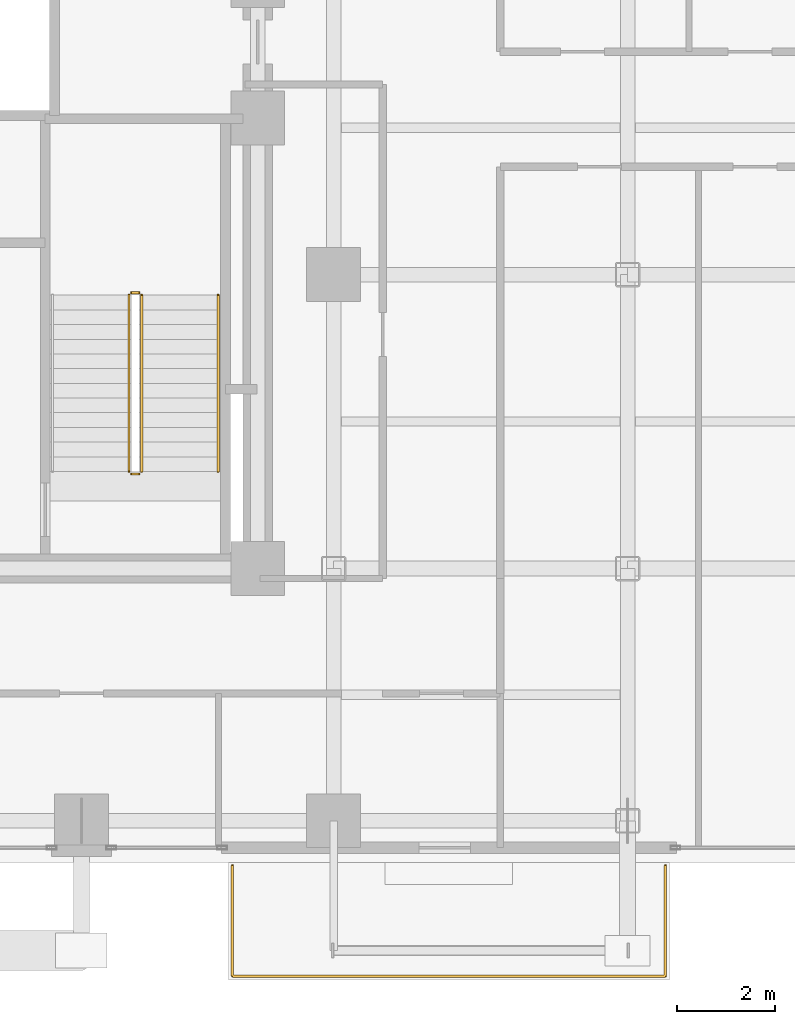
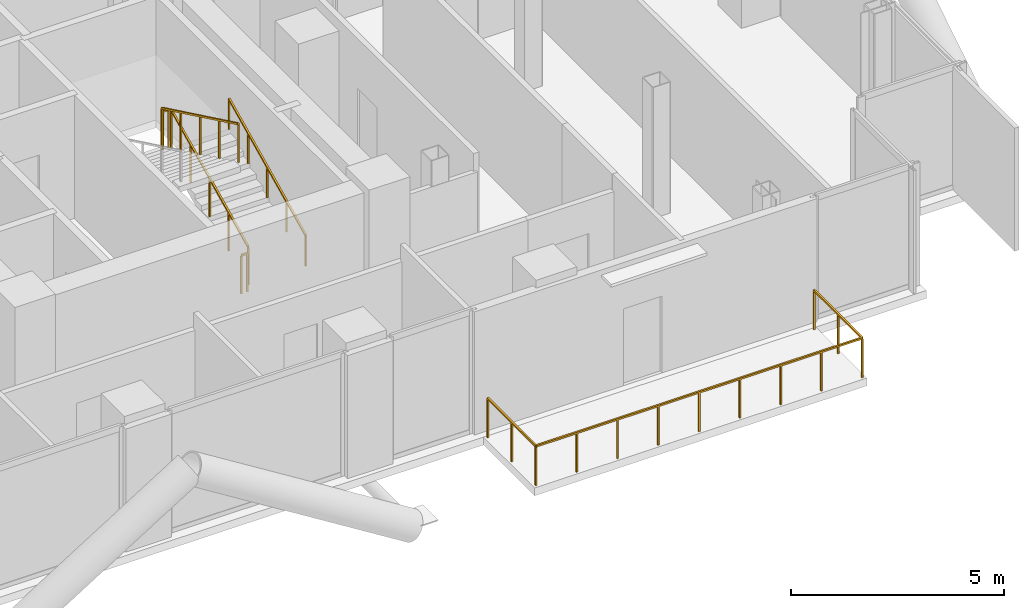
# One storey, part 27 of 28: 6 railings.
"""IFC4 building model written with IfcOpenShell, lengths in metres."""

from ifc_helpers import new_model, si_unit, direction, frame, origin, origin_2d, place, context, subcontext, project, spatial, rectangle, extrude, material, type_object, element, save


model = new_model("IFC4")

# Units and contexts
model_context = context("Model", 3, precision=1e-05, world=origin(), true_north=direction((0.0, 1.0)))
body_context = subcontext(model_context, "Body", "Model", "MODEL_VIEW")
ifc_project = project(units=[si_unit("LENGTHUNIT", "METRE"), si_unit("AREAUNIT", "SQUARE_METRE"), si_unit("VOLUMEUNIT", "CUBIC_METRE"), si_unit("PLANEANGLEUNIT", "RADIAN"), si_unit("MASSUNIT", "GRAM", prefix="KILO"), si_unit("THERMODYNAMICTEMPERATUREUNIT", "KELVIN"), si_unit("POWERUNIT", "WATT")], contexts=[model_context])

# Site, building, storey
site_placement = place(None, origin())
site = spatial("IfcSite", under=ifc_project, at=site_placement, CompositionType="ELEMENT")
building_placement = place(site_placement, origin())
building = spatial("IfcBuilding", under=site, at=building_placement, Name="Svarakhadi Broadcast Tower", CompositionType="ELEMENT")
storey_placement = place(building_placement, frame((0.0, 0.0, 103.35009765625)))
storey = spatial("IfcBuildingStorey", under=building, at=storey_placement, Name="L24", CompositionType="ELEMENT", Elevation=103.35009765625)

# Railings
ifc_material_1 = material(Name="Laminated Structural SentryGlas Balustrade 25.5 mm", Category="glass")
railing_type_1 = type_object("IfcRailingType", Name="Guard_Balcony_GR01", PredefinedType="BALUSTRADE", material=ifc_material_1)
railing_1_placement = place(storey_placement, frame((33.080078125, -0.06005859375, 0.0)))
element("IfcRailing", 1, at=railing_1_placement, inside=storey, type_object=railing_type_1, Name="L24 South Tree Balcony Guard GR-05", PredefinedType="BALUSTRADE", context=body_context, shape_type="SweptSolid", body=[
    extrude(rectangle(XDim=0.048095703125, YDim=0.048095703125, at=origin_2d()), frame((0.0, 0.0, 1.1259765625), z_axis=(0.0, -1.0, 0.0), x_axis=(1.0, 0.0, 0.0)), (0.0, 0.0, 1.0), 2.260009765625),
    extrude(rectangle(XDim=0.048095703125, YDim=0.048095703125, at=origin_2d()), frame((0.0, -2.260009765625, 1.1259765625), z_axis=(1.0, 0.0, 0.0), x_axis=(0.0, 1.0, 0.0)), (0.0, 0.0, 1.0), 8.83984375),
    extrude(rectangle(XDim=0.048095703125, YDim=0.048095703125, at=origin_2d()), frame((8.83984375, -2.260009765625, 1.1259765625), z_axis=(0.0, 1.0, 0.0), x_axis=(-1.0, 0.0, 0.0)), (0.0, 0.0, 1.0), 2.260009765625),
    extrude(rectangle(XDim=0.0419921875, YDim=0.0419921875, at=origin_2d()), origin(), (0.0, 0.0, 1.0), 1.101806640625),
    extrude(rectangle(XDim=0.0419921875, YDim=0.0419921875, at=origin_2d()), frame((0.0, -1.1298828125, 0.0)), (0.0, 0.0, 1.0), 1.101806640625),
    extrude(rectangle(XDim=0.0419921875, YDim=0.0419921875, at=origin_2d()), frame((0.0, -2.260009765625, 0.0)), (0.0, 0.0, 1.0), 1.101806640625),
    extrude(rectangle(XDim=0.0419921875, YDim=0.0419921875, at=origin_2d()), frame((1.10498046875, -2.260009765625, 0.0)), (0.0, 0.0, 1.0), 1.101806640625),
    extrude(rectangle(XDim=0.0419921875, YDim=0.0419921875, at=origin_2d()), frame((2.2099609375, -2.260009765625, 0.0)), (0.0, 0.0, 1.0), 1.101806640625),
    extrude(rectangle(XDim=0.0419921875, YDim=0.0419921875, at=origin_2d()), frame((3.31494140625, -2.260009765625, 0.0)), (0.0, 0.0, 1.0), 1.101806640625),
    extrude(rectangle(XDim=0.0419921875, YDim=0.0419921875, at=origin_2d()), frame((4.419921875, -2.260009765625, 0.0)), (0.0, 0.0, 1.0), 1.101806640625),
    extrude(rectangle(XDim=0.0419921875, YDim=0.0419921875, at=origin_2d()), frame((5.52490234375, -2.260009765625, 0.0)), (0.0, 0.0, 1.0), 1.101806640625),
    extrude(rectangle(XDim=0.0419921875, YDim=0.0419921875, at=origin_2d()), frame((6.6298828125, -2.260009765625, 0.0)), (0.0, 0.0, 1.0), 1.101806640625),
    extrude(rectangle(XDim=0.0419921875, YDim=0.0419921875, at=origin_2d()), frame((7.73486328125, -2.260009765625, 0.0)), (0.0, 0.0, 1.0), 1.101806640625),
    extrude(rectangle(XDim=0.0419921875, YDim=0.0419921875, at=origin_2d()), frame((8.83984375, -2.260009765625, 0.0)), (0.0, 0.0, 1.0), 1.101806640625),
    extrude(rectangle(XDim=0.0419921875, YDim=0.0419921875, at=origin_2d()), frame((8.83984375, -1.1298828125, 0.0)), (0.0, 0.0, 1.0), 1.101806640625),
    extrude(rectangle(XDim=0.0419921875, YDim=0.0419921875, at=origin_2d()), frame((8.83984375, 0.0, 0.0)), (0.0, 0.0, 1.0), 1.101806640625),
])
ifc_material_2 = material(Name="Anodised Bronze Aluminium AA 6063-T6", Category="aluminium")
railing_type_2 = type_object("IfcRailingType", Name="Guard_Stair_GR01", PredefinedType="GUARDRAIL", material=ifc_material_2)
railing_2_placement = place(storey_placement, frame((31.22998046875, 7.97998046875, 0.14404296875)))
element("IfcRailing", 2, at=railing_2_placement, inside=storey, type_object=railing_type_2, Name="L24 ST-02 stair guard 1", PredefinedType="GUARDRAIL", context=body_context, shape_type="SweptSolid", body=[
    extrude(rectangle(XDim=0.048095703125, YDim=0.048095703125, at=origin_2d()), frame((0.0, 0.0, 1.09619140625), z_axis=(0.0, 0.901238654732, 0.433323074871), x_axis=(-1.0, 0.0, 0.0)), (0.0, 0.0, 1.0), 3.99462890625),
    extrude(rectangle(XDim=0.0419921875, YDim=0.0419921875, at=origin_2d()), origin(), (0.0, 0.0, 1.0), 1.072021484375),
    extrude(rectangle(XDim=0.0419921875, YDim=0.0419921875, at=origin_2d()), frame((0.0, 0.89990234375, 0.4326171875)), (0.0, 0.0, 1.0), 1.072021484375),
    extrude(rectangle(XDim=0.0419921875, YDim=0.0419921875, at=origin_2d()), frame((0.0, 1.800048828125, 0.865478515625)), (0.0, 0.0, 1.0), 1.072021484375),
    extrude(rectangle(XDim=0.0419921875, YDim=0.0419921875, at=origin_2d()), frame((0.0, 2.7001953125, 1.29833984375)), (0.0, 0.0, 1.0), 1.072021484375),
    extrude(rectangle(XDim=0.0419921875, YDim=0.0419921875, at=origin_2d()), frame((0.0, 3.60009765625, 1.73095703125)), (0.0, 0.0, 1.0), 1.072021484375),
])
railing_3_placement = place(storey_placement, frame((31.179931640625, 11.6298828125, 1.875)))
element("IfcRailing", 3, at=railing_3_placement, inside=storey, type_object=railing_type_2, Name="L24 ST-02 stair guard 2", PredefinedType="GUARDRAIL", context=body_context, shape_type="SweptSolid", body=[
    extrude(rectangle(XDim=0.048095703125, YDim=0.048095703125, at=origin_2d()), frame((0.0, 0.0, 1.09619140625), z_axis=(-1.0, 0.0, 0.0), x_axis=(0.0, -1.0, 0.0)), (0.0, 0.0, 1.0), 0.159912109375),
    extrude(rectangle(XDim=0.0419921875, YDim=0.0419921875, at=origin_2d()), origin(), (0.0, 0.0, 1.0), 1.072021484375),
    extrude(rectangle(XDim=0.0419921875, YDim=0.0419921875, at=origin_2d()), frame((-0.159912109375, 0.0, 0.0)), (0.0, 0.0, 1.0), 1.072021484375),
])
railing_4_placement = place(storey_placement, frame((30.969970703125, 11.580078125, 2.01904296875)))
element("IfcRailing", 4, at=railing_4_placement, inside=storey, type_object=railing_type_2, Name="L24 ST-02 stair guard 3", PredefinedType="GUARDRAIL", context=body_context, shape_type="SweptSolid", body=[
    extrude(rectangle(XDim=0.048095703125, YDim=0.048095703125, at=origin_2d()), frame((0.0, 0.0, 1.09619140625), z_axis=(0.0, -0.901238654732, 0.433323074871), x_axis=(1.0, 0.0, 0.0)), (0.0, 0.0, 1.0), 3.99462890625),
    extrude(rectangle(XDim=0.0419921875, YDim=0.0419921875, at=origin_2d()), origin(), (0.0, 0.0, 1.0), 1.072021484375),
    extrude(rectangle(XDim=0.0419921875, YDim=0.0419921875, at=origin_2d()), frame((0.0, -0.89990234375, 0.4326171875)), (0.0, 0.0, 1.0), 1.072021484375),
    extrude(rectangle(XDim=0.0419921875, YDim=0.0419921875, at=origin_2d()), frame((0.0, -1.800048828125, 0.865478515625)), (0.0, 0.0, 1.0), 1.072021484375),
    extrude(rectangle(XDim=0.0419921875, YDim=0.0419921875, at=origin_2d()), frame((0.0, -2.7001953125, 1.29833984375)), (0.0, 0.0, 1.0), 1.072021484375),
    extrude(rectangle(XDim=0.0419921875, YDim=0.0419921875, at=origin_2d()), frame((0.0, -3.60009765625, 1.73095703125)), (0.0, 0.0, 1.0), 1.072021484375),
])
railing_5_placement = place(storey_placement, frame((31.179931640625, 7.929931640625, 0.0)))
element("IfcRailing", 5, at=railing_5_placement, inside=storey, type_object=railing_type_2, Name="L24 ST-02 stair guard 4", PredefinedType="GUARDRAIL", context=body_context, shape_type="SweptSolid", body=[
    extrude(rectangle(XDim=0.048095703125, YDim=0.048095703125, at=origin_2d()), frame((0.0, 0.0, 1.09619140625), z_axis=(-1.0, 0.0, 0.0), x_axis=(0.0, -1.0, 0.0)), (0.0, 0.0, 1.0), 0.159912109375),
    extrude(rectangle(XDim=0.0419921875, YDim=0.0419921875, at=origin_2d()), origin(), (0.0, 0.0, 1.0), 1.072021484375),
    extrude(rectangle(XDim=0.0419921875, YDim=0.0419921875, at=origin_2d()), frame((-0.159912109375, 0.0, 0.0)), (0.0, 0.0, 1.0), 1.072021484375),
])
railing_type_3 = type_object("IfcRailingType", Name="Handrail_Stair_HR01", PredefinedType="HANDRAIL", material=ifc_material_2)
railing_6_placement = place(storey_placement, frame((32.7900390625, 7.97998046875, 0.14404296875)))
element("IfcRailing", 6, at=railing_6_placement, inside=storey, type_object=railing_type_3, Name="L24 ST-02 stair handrail 1", PredefinedType="HANDRAIL", context=body_context, shape_type="SweptSolid", body=[
    extrude(rectangle(XDim=0.048095703125, YDim=0.048095703125, at=origin_2d()), frame((0.0, 0.0, 0.8759765625), z_axis=(0.0, 0.901238654732, 0.433323074871), x_axis=(-1.0, 0.0, 0.0)), (0.0, 0.0, 1.0), 3.99462890625),
    extrude(rectangle(XDim=0.0419921875, YDim=0.0419921875, at=origin_2d()), origin(), (0.0, 0.0, 1.0), 0.851806640625),
    extrude(rectangle(XDim=0.0419921875, YDim=0.0419921875, at=origin_2d()), frame((0.0, 0.89990234375, 0.4326171875)), (0.0, 0.0, 1.0), 0.851806640625),
    extrude(rectangle(XDim=0.0419921875, YDim=0.0419921875, at=origin_2d()), frame((0.0, 1.800048828125, 0.865478515625)), (0.0, 0.0, 1.0), 0.851806640625),
    extrude(rectangle(XDim=0.0419921875, YDim=0.0419921875, at=origin_2d()), frame((0.0, 2.7001953125, 1.29833984375)), (0.0, 0.0, 1.0), 0.851806640625),
    extrude(rectangle(XDim=0.0419921875, YDim=0.0419921875, at=origin_2d()), frame((0.0, 3.60009765625, 1.73095703125)), (0.0, 0.0, 1.0), 0.851806640625),
])

save(model, "model.ifc")
